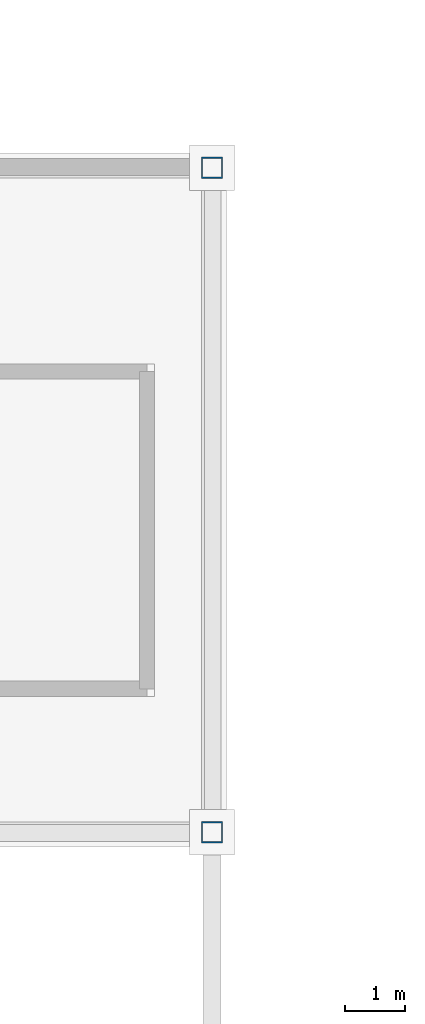
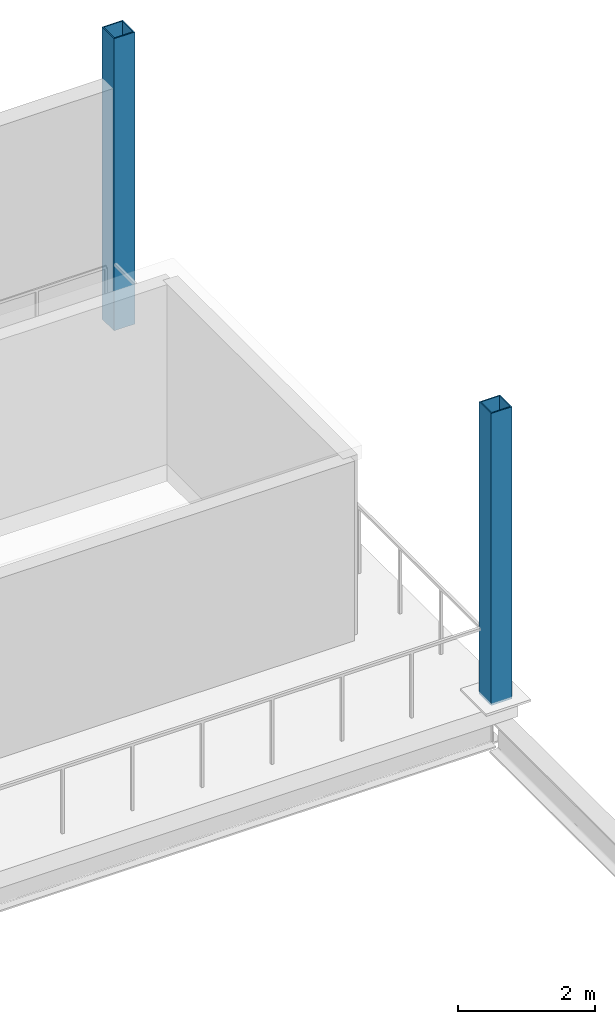
# One storey, part 23 of 178: 2 columns.
"""IFC4 building model written with IfcOpenShell, lengths in metres."""

from ifc_helpers import new_model, si_unit, direction, frame, origin, origin_2d, place, context, subcontext, project, spatial, hollow_rectangle, extrude, material, material_profile, profile_set, type_object, element, save


model = new_model("IFC4")

# Units and contexts
model_context = context("Model", 3, precision=1e-05, world=origin(), true_north=direction((0.0, 1.0)))
body_context = subcontext(model_context, "Body", "Model", "MODEL_VIEW")
ifc_project = project(units=[si_unit("LENGTHUNIT", "METRE"), si_unit("AREAUNIT", "SQUARE_METRE"), si_unit("VOLUMEUNIT", "CUBIC_METRE"), si_unit("PLANEANGLEUNIT", "RADIAN"), si_unit("MASSUNIT", "GRAM", prefix="KILO")], contexts=[model_context])

# Site, building, storey
site_placement = place(None, origin())
site = spatial("IfcSite", under=ifc_project, at=site_placement, CompositionType="ELEMENT")
building_placement = place(site_placement, origin())
building = spatial("IfcBuilding", under=site, at=building_placement, Name="Zlatoyarsky Gate Stadium", CompositionType="ELEMENT")
storey_placement = place(building_placement, frame((0.0, 0.0, 5.39990234375)))
storey = spatial("IfcBuildingStorey", under=building, at=storey_placement, Name="L01", CompositionType="ELEMENT", Elevation=5.39990234375)

# Columns
ifc_material = material(Name="Steel S355", Category="steel")
ifc_material_profile = material_profile(ifc_material, hollow_rectangle(XDim=0.35009765625, YDim=0.35009765625, WallThickness=0.02001953125, at=origin_2d()), Name="SHS 350X350X20")
ifc_profile_set = profile_set([ifc_material_profile], Name="Steel S355")
column_type = type_object("IfcColumnType", Name="STEEL SQUARE COLUMN SHS 350X350X20", PredefinedType="COLUMN", material=ifc_profile_set)
for number, where, z_axis, x_axis, name in (
    (1, (197.5, 138.0, 0.0), (0.0, 0.0, 1.0), (1.0, 0.0, 0.0), "Column ST-CS350 WG-17-N on L01"),
    (2, (197.5, 149.0, 0.0), (0.0, 0.0, 1.0), (1.0, 0.0, 0.0), "Column ST-CS350 WG-17-P on L01"),
):
    element("IfcColumn", number, at=place(storey_placement, frame(where, z_axis=z_axis, x_axis=x_axis)), inside=storey, type_object=column_type, Name=name, PredefinedType="COLUMN", context=body_context, shape_type="SweptSolid", body=[
        extrude(hollow_rectangle(XDim=0.35009765625, YDim=0.35009765625, WallThickness=0.02001953125, at=origin_2d()), origin(), (0.0, 0.0, 1.0), 5.2001953125),
    ])

save(model, "model.ifc")
